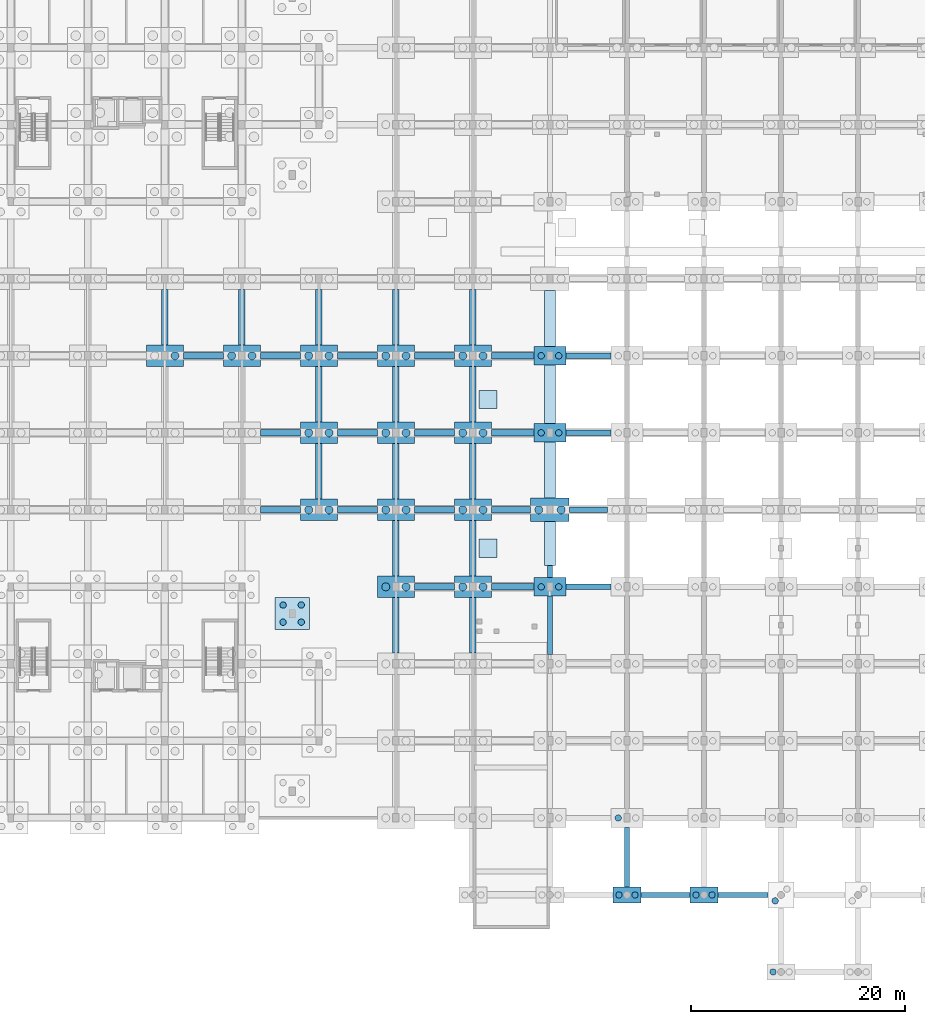
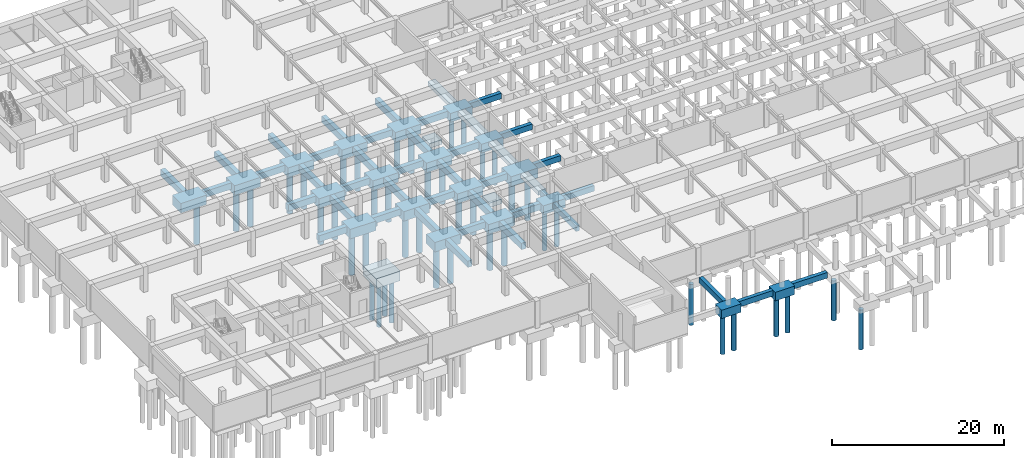
# One storey, part 3 of 36: 65 footings, 44 piles.
"""IFC4 building model written with IfcOpenShell, lengths in metres."""

from ifc_helpers import new_model, si_unit, direction, frame, origin, origin_2d, place, context, subcontext, project, spatial, rectangle, circle, extrude, material, material_profile, profile_set, type_object, element, save


model = new_model("IFC4")

# Units and contexts
model_context = context("Model", 3, precision=1e-05, world=origin(), true_north=direction((0.0, 1.0)))
body_context = subcontext(model_context, "Body", "Model", "MODEL_VIEW")
ifc_project = project(units=[si_unit("LENGTHUNIT", "METRE"), si_unit("AREAUNIT", "SQUARE_METRE"), si_unit("VOLUMEUNIT", "CUBIC_METRE"), si_unit("PLANEANGLEUNIT", "RADIAN"), si_unit("MASSUNIT", "GRAM", prefix="KILO")], contexts=[model_context])

# Site, building, storey
site_placement = place(None, origin())
site = spatial("IfcSite", under=ifc_project, at=site_placement, CompositionType="ELEMENT")
building_placement = place(site_placement, origin())
building = spatial("IfcBuilding", under=site, at=building_placement, Name="Ochrevale Crest", CompositionType="ELEMENT")
storey_placement = place(building_placement, frame((0.0, 0.0, -3.60009765625)))
storey = spatial("IfcBuildingStorey", under=building, at=storey_placement, Name="B1", CompositionType="ELEMENT", Elevation=-3.60009765625)

# Footings
ifc_material = material(Name="Concrete C40/50", Category="concrete")
footing_type_1 = type_object("IfcFootingType", Name="CAP-PC08", PredefinedType="PILE_CAP", material=ifc_material)
footing_1_placement = place(storey_placement, frame((33.5, 33.5, -1.60986328125), z_axis=(0.0, 0.0, 1.0), x_axis=(1.0, 0.0, 0.0)))
element("IfcFooting", 1, at=footing_1_placement, inside=storey, type_object=footing_type_1, Name="Pile cap PC08-062", PredefinedType="PILE_CAP", context=body_context, shape_type="SweptSolid", body=[
    extrude(rectangle(XDim=3.199951171875, YDim=3.0, at=origin_2d()), origin(), (0.0, 0.0, 1.0), 1.35009765625),
])
footing_type_2 = type_object("IfcFootingType", Name="CAP-PC11", PredefinedType="PILE_CAP", material=ifc_material)
footing_2_placement = place(storey_placement, frame((57.60009765625, 43.199951171875, -1.659912109375), z_axis=(0.0, 0.0, 1.0), x_axis=(1.0, 0.0, 0.0)))
element("IfcFooting", 2, at=footing_2_placement, inside=storey, type_object=footing_type_2, Name="Pile cap PC11-103", PredefinedType="PILE_CAP", context=body_context, shape_type="SweptSolid", body=[
    extrude(rectangle(XDim=3.60009765625, YDim=2.199951171875, at=origin_2d()), origin(), (0.0, 0.0, 1.0), 1.39990234375),
])
footing_type_3 = type_object("IfcFootingType", Name="CAP-PC12", PredefinedType="PILE_CAP", material=ifc_material)
for number, where, z_axis, x_axis, name in (
    (3, (21.60009765625, 57.60009765625, -1.60986328125), (0.0, 0.0, 1.0), (1.0, 0.0, 0.0), "Pile cap PC12-043"),
    (4, (28.800048828125, 57.60009765625, -1.60986328125), (0.0, 0.0, 1.0), (1.0, 0.0, 0.0), "Pile cap PC12-055"),
    (5, (36.0, 43.199951171875, -1.60986328125), (0.0, 0.0, 1.0), (1.0, 0.0, 0.0), "Pile cap PC12-067"),
    (6, (36.0, 50.39990234375, -1.60986328125), (0.0, 0.0, 1.0), (1.0, 0.0, 0.0), "Pile cap PC12-068"),
    (7, (36.0, 57.60009765625, -1.60986328125), (0.0, 0.0, 1.0), (1.0, 0.0, 0.0), "Pile cap PC12-069"),
    (8, (43.199951171875, 36.0, -1.60986328125), (0.0, 0.0, 1.0), (1.0, 0.0, 0.0), "Pile cap PC12-076"),
    (9, (43.199951171875, 43.199951171875, -1.60986328125), (0.0, 0.0, 1.0), (1.0, 0.0, 0.0), "Pile cap PC12-077"),
    (10, (43.199951171875, 50.39990234375, -1.60986328125), (0.0, 0.0, 1.0), (1.0, 0.0, 0.0), "Pile cap PC12-078"),
    (11, (43.199951171875, 57.60009765625, -1.60986328125), (0.0, 0.0, 1.0), (1.0, 0.0, 0.0), "Pile cap PC12-079"),
    (12, (50.39990234375, 36.0, -1.60986328125), (0.0, 0.0, 1.0), (1.0, 0.0, 0.0), "Pile cap PC12-089"),
    (13, (50.39990234375, 43.199951171875, -1.60986328125), (0.0, 0.0, 1.0), (1.0, 0.0, 0.0), "Pile cap PC12-090"),
    (14, (50.39990234375, 50.39990234375, -1.60986328125), (0.0, 0.0, 1.0), (1.0, 0.0, 0.0), "Pile cap PC12-091"),
    (15, (50.39990234375, 57.60009765625, -1.60986328125), (0.0, 0.0, 1.0), (1.0, 0.0, 0.0), "Pile cap PC12-092"),
):
    element("IfcFooting", number, at=place(storey_placement, frame(where, z_axis=z_axis, x_axis=x_axis)), inside=storey, type_object=footing_type_3, Name=name, PredefinedType="PILE_CAP", context=body_context, shape_type="SweptSolid", body=[
        extrude(rectangle(XDim=3.449951171875, YDim=2.0, at=origin_2d()), origin(), (0.0, 0.0, 1.0), 1.35009765625),
    ])
footing_type_4 = type_object("IfcFootingType", Name="CAP-PC14", PredefinedType="PILE_CAP", material=ifc_material)
for number, where, z_axis, x_axis, name in (
    (16, (57.60009765625, 36.0, -1.510009765625), (0.0, 0.0, 1.0), (1.0, 0.0, 0.0), "Pile cap PC14-102"),
    (17, (57.60009765625, 50.39990234375, -1.510009765625), (0.0, 0.0, 1.0), (1.0, 0.0, 0.0), "Pile cap PC14-104"),
    (18, (57.60009765625, 57.60009765625, -1.510009765625), (0.0, 0.0, 1.0), (1.0, 0.0, 0.0), "Pile cap PC14-105"),
):
    element("IfcFooting", number, at=place(storey_placement, frame(where, z_axis=z_axis, x_axis=x_axis)), inside=storey, type_object=footing_type_4, Name=name, PredefinedType="PILE_CAP", context=body_context, shape_type="SweptSolid", body=[
        extrude(rectangle(XDim=2.949951171875, YDim=1.75, at=origin_2d()), origin(), (0.0, 0.0, 1.0), 1.25),
    ])
footing_type_5 = type_object("IfcFootingType", Name="CAP-PC15", PredefinedType="PILE_CAP", material=ifc_material)
for number, where, z_axis, x_axis, name in (
    (19, (64.800048828125, 7.199951171875, -1.4599609375), (0.0, 0.0, 1.0), (1.0, 0.0, 0.0), "Pile cap PC15-114"),
    (20, (72.0, 7.199951171875, -1.4599609375), (0.0, 0.0, 1.0), (1.0, 0.0, 0.0), "Pile cap PC15-130"),
):
    element("IfcFooting", number, at=place(storey_placement, frame(where, z_axis=z_axis, x_axis=x_axis)), inside=storey, type_object=footing_type_5, Name=name, PredefinedType="PILE_CAP", context=body_context, shape_type="SweptSolid", body=[
        extrude(rectangle(XDim=2.60009765625, YDim=1.5, at=origin_2d()), origin(), (0.0, 0.0, 1.0), 1.199951171875),
    ])
ifc_material_profile_1 = material_profile(ifc_material, rectangle(XDim=0.5, YDim=0.800048828125, at=origin_2d()), Name="GB 500x800")
ifc_profile_set_1 = profile_set([ifc_material_profile_1], Name="Concrete C40/50")
footing_type_6 = type_object("IfcFootingType", Name="FTG-GB500x800", PredefinedType="FOOTING_BEAM", material=ifc_profile_set_1)
footing_3_placement = place(storey_placement, frame((57.60009765625, 29.677001953125, -0.659912109375), z_axis=(0.0, 1.0, 0.0), x_axis=(-1.0, 0.0, 0.0)))
element("IfcFooting", 21, at=footing_3_placement, inside=storey, type_object=footing_type_6, Name="Foundation tie beam GB2-170", PredefinedType="FOOTING_BEAM", context=body_context, shape_type="SweptSolid", body=[
    extrude(rectangle(XDim=0.5, YDim=0.800048828125, at=origin_2d()), origin(), (0.0, 0.0, 1.0), 5.446044921875),
])
footing_4_placement = place(storey_placement, frame((59.076904296875, 36.0, -0.659912109375), z_axis=(1.0, 0.0, 0.0), x_axis=(0.0, 1.0, 0.0)))
element("IfcFooting", 22, at=footing_4_placement, inside=storey, type_object=footing_type_6, Name="Foundation tie beam GB2-171", PredefinedType="FOOTING_BEAM", context=body_context, shape_type="SweptSolid", body=[
    extrude(rectangle(XDim=0.5, YDim=0.800048828125, at=origin_2d()), origin(), (0.0, 0.0, 1.0), 4.24609375),
])
footing_5_placement = place(storey_placement, frame((57.60009765625, 36.876953125, -0.659912109375), z_axis=(0.0, 1.0, 0.0), x_axis=(-1.0, 0.0, 0.0)))
element("IfcFooting", 23, at=footing_5_placement, inside=storey, type_object=footing_type_6, Name="Foundation tie beam GB2-172", PredefinedType="FOOTING_BEAM", context=body_context, shape_type="SweptSolid", body=[
    extrude(rectangle(XDim=0.5, YDim=0.800048828125, at=origin_2d()), origin(), (0.0, 0.0, 1.0), 1.12109375),
])
footing_6_placement = place(storey_placement, frame((59.402099609375, 43.199951171875, -0.659912109375), z_axis=(1.0, 0.0, 0.0), x_axis=(0.0, 1.0, 0.0)))
element("IfcFooting", 24, at=footing_6_placement, inside=storey, type_object=footing_type_6, Name="Foundation tie beam GB2-173", PredefinedType="FOOTING_BEAM", context=body_context, shape_type="SweptSolid", body=[
    extrude(rectangle(XDim=0.5, YDim=0.800048828125, at=origin_2d()), origin(), (0.0, 0.0, 1.0), 3.595947265625),
])
for number, where, z_axis, x_axis, name in (
    (25, (59.076904296875, 50.39990234375, -0.659912109375), (1.0, 0.0, 0.0), (0.0, 1.0, 0.0), "Foundation tie beam GB2-175"),
    (26, (59.076904296875, 57.60009765625, -0.659912109375), (1.0, 0.0, 0.0), (0.0, 1.0, 0.0), "Foundation tie beam GB2-177"),
):
    element("IfcFooting", number, at=place(storey_placement, frame(where, z_axis=z_axis, x_axis=x_axis)), inside=storey, type_object=footing_type_6, Name=name, PredefinedType="FOOTING_BEAM", context=body_context, shape_type="SweptSolid", body=[
        extrude(rectangle(XDim=0.5, YDim=0.800048828125, at=origin_2d()), origin(), (0.0, 0.0, 1.0), 4.24609375),
    ])
footing_7_placement = place(storey_placement, frame((66.10205078125, 7.199951171875, -0.659912109375), z_axis=(1.0, 0.0, 0.0), x_axis=(0.0, 1.0, 0.0)))
element("IfcFooting", 27, at=footing_7_placement, inside=storey, type_object=footing_type_6, Name="Foundation tie beam GB2-194", PredefinedType="FOOTING_BEAM", context=body_context, shape_type="SweptSolid", body=[
    extrude(rectangle(XDim=0.5, YDim=0.800048828125, at=origin_2d()), origin(), (0.0, 0.0, 1.0), 4.595947265625),
])
footing_8_placement = place(storey_placement, frame((64.800048828125, 7.951904296875, -0.659912109375), z_axis=(0.0, 1.0, 0.0), x_axis=(-1.0, 0.0, 0.0)))
element("IfcFooting", 28, at=footing_8_placement, inside=storey, type_object=footing_type_6, Name="Foundation tie beam GB2-195", PredefinedType="FOOTING_BEAM", context=body_context, shape_type="SweptSolid", body=[
    extrude(rectangle(XDim=0.5, YDim=0.800048828125, at=origin_2d()), origin(), (0.0, 0.0, 1.0), 5.571044921875),
])
footing_9_placement = place(storey_placement, frame((73.302001953125, 7.199951171875, -0.659912109375), z_axis=(1.0, 0.0, 0.0), x_axis=(0.0, 1.0, 0.0)))
element("IfcFooting", 29, at=footing_9_placement, inside=storey, type_object=footing_type_6, Name="Foundation tie beam GB2-225", PredefinedType="FOOTING_BEAM", context=body_context, shape_type="SweptSolid", body=[
    extrude(rectangle(XDim=0.5, YDim=0.800048828125, at=origin_2d()), origin(), (0.0, 0.0, 1.0), 4.696044921875),
])
ifc_material_profile_2 = material_profile(ifc_material, rectangle(XDim=0.60009765625, YDim=0.89990234375, at=origin_2d()), Name="GB 600x900")
ifc_profile_set_2 = profile_set([ifc_material_profile_2], Name="Concrete C40/50")
footing_type_7 = type_object("IfcFootingType", Name="FTG-GB600x900", PredefinedType="FOOTING_BEAM", material=ifc_profile_set_2)
footing_10_placement = place(storey_placement, frame((23.326904296875, 57.60009765625, -0.7099609375), z_axis=(1.0, 0.0, 0.0), x_axis=(0.0, 1.0, 0.0)))
element("IfcFooting", 30, at=footing_10_placement, inside=storey, type_object=footing_type_7, Name="Foundation tie beam GB1-072", PredefinedType="FOOTING_BEAM", context=body_context, shape_type="SweptSolid", body=[
    extrude(rectangle(XDim=0.60009765625, YDim=0.89990234375, at=origin_2d()), origin(), (0.0, 0.0, 1.0), 3.74609375),
])
footing_11_placement = place(storey_placement, frame((21.60009765625, 58.60205078125, -0.7099609375), z_axis=(0.0, 1.0, 0.0), x_axis=(-1.0, 0.0, 0.0)))
element("IfcFooting", 31, at=footing_11_placement, inside=storey, type_object=footing_type_7, Name="Foundation tie beam GB1-073", PredefinedType="FOOTING_BEAM", context=body_context, shape_type="SweptSolid", body=[
    extrude(rectangle(XDim=0.60009765625, YDim=0.89990234375, at=origin_2d()), origin(), (0.0, 0.0, 1.0), 5.196044921875),
])
for number, where, z_axis, x_axis, name in (
    (32, (30.527099609375, 43.199951171875, -0.7099609375), (1.0, 0.0, 0.0), (0.0, 1.0, 0.0), "Foundation tie beam GB1-089"),
    (33, (30.527099609375, 50.39990234375, -0.7099609375), (1.0, 0.0, 0.0), (0.0, 1.0, 0.0), "Foundation tie beam GB1-091"),
    (34, (30.527099609375, 57.60009765625, -0.7099609375), (1.0, 0.0, 0.0), (0.0, 1.0, 0.0), "Foundation tie beam GB1-093"),
):
    element("IfcFooting", number, at=place(storey_placement, frame(where, z_axis=z_axis, x_axis=x_axis)), inside=storey, type_object=footing_type_7, Name=name, PredefinedType="FOOTING_BEAM", context=body_context, shape_type="SweptSolid", body=[
        extrude(rectangle(XDim=0.60009765625, YDim=0.89990234375, at=origin_2d()), origin(), (0.0, 0.0, 1.0), 3.745849609375),
    ])
footing_12_placement = place(storey_placement, frame((28.800048828125, 58.60205078125, -0.7099609375), z_axis=(0.0, 1.0, 0.0), x_axis=(-1.0, 0.0, 0.0)))
element("IfcFooting", 35, at=footing_12_placement, inside=storey, type_object=footing_type_7, Name="Foundation tie beam GB1-094", PredefinedType="FOOTING_BEAM", context=body_context, shape_type="SweptSolid", body=[
    extrude(rectangle(XDim=0.60009765625, YDim=0.89990234375, at=origin_2d()), origin(), (0.0, 0.0, 1.0), 5.196044921875),
])
footing_13_placement = place(storey_placement, frame((37.72705078125, 43.199951171875, -0.7099609375), z_axis=(1.0, 0.0, 0.0), x_axis=(0.0, 1.0, 0.0)))
element("IfcFooting", 36, at=footing_13_placement, inside=storey, type_object=footing_type_7, Name="Foundation tie beam GB1-105", PredefinedType="FOOTING_BEAM", context=body_context, shape_type="SweptSolid", body=[
    extrude(rectangle(XDim=0.60009765625, YDim=0.89990234375, at=origin_2d()), origin(), (0.0, 0.0, 1.0), 3.745849609375),
])
footing_14_placement = place(storey_placement, frame((36.0, 44.201904296875, -0.7099609375), z_axis=(0.0, 1.0, 0.0), x_axis=(-1.0, 0.0, 0.0)))
element("IfcFooting", 37, at=footing_14_placement, inside=storey, type_object=footing_type_7, Name="Foundation tie beam GB1-106", PredefinedType="FOOTING_BEAM", context=body_context, shape_type="SweptSolid", body=[
    extrude(rectangle(XDim=0.60009765625, YDim=0.89990234375, at=origin_2d()), origin(), (0.0, 0.0, 1.0), 5.196044921875),
])
footing_15_placement = place(storey_placement, frame((37.72705078125, 50.39990234375, -0.7099609375), z_axis=(1.0, 0.0, 0.0), x_axis=(0.0, 1.0, 0.0)))
element("IfcFooting", 38, at=footing_15_placement, inside=storey, type_object=footing_type_7, Name="Foundation tie beam GB1-107", PredefinedType="FOOTING_BEAM", context=body_context, shape_type="SweptSolid", body=[
    extrude(rectangle(XDim=0.60009765625, YDim=0.89990234375, at=origin_2d()), origin(), (0.0, 0.0, 1.0), 3.745849609375),
])
footing_16_placement = place(storey_placement, frame((36.0, 51.402099609375, -0.7099609375), z_axis=(0.0, 1.0, 0.0), x_axis=(-1.0, 0.0, 0.0)))
element("IfcFooting", 39, at=footing_16_placement, inside=storey, type_object=footing_type_7, Name="Foundation tie beam GB1-108", PredefinedType="FOOTING_BEAM", context=body_context, shape_type="SweptSolid", body=[
    extrude(rectangle(XDim=0.60009765625, YDim=0.89990234375, at=origin_2d()), origin(), (0.0, 0.0, 1.0), 5.19580078125),
])
footing_17_placement = place(storey_placement, frame((37.72705078125, 57.60009765625, -0.7099609375), z_axis=(1.0, 0.0, 0.0), x_axis=(0.0, 1.0, 0.0)))
element("IfcFooting", 40, at=footing_17_placement, inside=storey, type_object=footing_type_7, Name="Foundation tie beam GB1-109", PredefinedType="FOOTING_BEAM", context=body_context, shape_type="SweptSolid", body=[
    extrude(rectangle(XDim=0.60009765625, YDim=0.89990234375, at=origin_2d()), origin(), (0.0, 0.0, 1.0), 3.745849609375),
])
for number, where, z_axis, x_axis, name in (
    (41, (36.0, 58.60205078125, -0.7099609375), (0.0, 1.0, 0.0), (-1.0, 0.0, 0.0), "Foundation tie beam GB1-110"),
    (42, (43.199951171875, 29.802001953125, -0.7099609375), (0.0, 1.0, 0.0), (-1.0, 0.0, 0.0), "Foundation tie beam GB1-120"),
):
    element("IfcFooting", number, at=place(storey_placement, frame(where, z_axis=z_axis, x_axis=x_axis)), inside=storey, type_object=footing_type_7, Name=name, PredefinedType="FOOTING_BEAM", context=body_context, shape_type="SweptSolid", body=[
        extrude(rectangle(XDim=0.60009765625, YDim=0.89990234375, at=origin_2d()), origin(), (0.0, 0.0, 1.0), 5.196044921875),
    ])
footing_18_placement = place(storey_placement, frame((44.927001953125, 36.0, -0.7099609375), z_axis=(1.0, 0.0, 0.0), x_axis=(0.0, 1.0, 0.0)))
element("IfcFooting", 43, at=footing_18_placement, inside=storey, type_object=footing_type_7, Name="Foundation tie beam GB1-121", PredefinedType="FOOTING_BEAM", context=body_context, shape_type="SweptSolid", body=[
    extrude(rectangle(XDim=0.60009765625, YDim=0.89990234375, at=origin_2d()), origin(), (0.0, 0.0, 1.0), 3.74609375),
])
footing_19_placement = place(storey_placement, frame((43.199951171875, 37.001953125, -0.7099609375), z_axis=(0.0, 1.0, 0.0), x_axis=(-1.0, 0.0, 0.0)))
element("IfcFooting", 44, at=footing_19_placement, inside=storey, type_object=footing_type_7, Name="Foundation tie beam GB1-122", PredefinedType="FOOTING_BEAM", context=body_context, shape_type="SweptSolid", body=[
    extrude(rectangle(XDim=0.60009765625, YDim=0.89990234375, at=origin_2d()), origin(), (0.0, 0.0, 1.0), 5.196044921875),
])
footing_20_placement = place(storey_placement, frame((44.927001953125, 43.199951171875, -0.7099609375), z_axis=(1.0, 0.0, 0.0), x_axis=(0.0, 1.0, 0.0)))
element("IfcFooting", 45, at=footing_20_placement, inside=storey, type_object=footing_type_7, Name="Foundation tie beam GB1-123", PredefinedType="FOOTING_BEAM", context=body_context, shape_type="SweptSolid", body=[
    extrude(rectangle(XDim=0.60009765625, YDim=0.89990234375, at=origin_2d()), origin(), (0.0, 0.0, 1.0), 3.74609375),
])
footing_21_placement = place(storey_placement, frame((43.199951171875, 44.201904296875, -0.7099609375), z_axis=(0.0, 1.0, 0.0), x_axis=(-1.0, 0.0, 0.0)))
element("IfcFooting", 46, at=footing_21_placement, inside=storey, type_object=footing_type_7, Name="Foundation tie beam GB1-124", PredefinedType="FOOTING_BEAM", context=body_context, shape_type="SweptSolid", body=[
    extrude(rectangle(XDim=0.60009765625, YDim=0.89990234375, at=origin_2d()), origin(), (0.0, 0.0, 1.0), 5.196044921875),
])
footing_22_placement = place(storey_placement, frame((44.927001953125, 50.39990234375, -0.7099609375), z_axis=(1.0, 0.0, 0.0), x_axis=(0.0, 1.0, 0.0)))
element("IfcFooting", 47, at=footing_22_placement, inside=storey, type_object=footing_type_7, Name="Foundation tie beam GB1-125", PredefinedType="FOOTING_BEAM", context=body_context, shape_type="SweptSolid", body=[
    extrude(rectangle(XDim=0.60009765625, YDim=0.89990234375, at=origin_2d()), origin(), (0.0, 0.0, 1.0), 3.74609375),
])
footing_23_placement = place(storey_placement, frame((43.199951171875, 51.402099609375, -0.7099609375), z_axis=(0.0, 1.0, 0.0), x_axis=(-1.0, 0.0, 0.0)))
element("IfcFooting", 48, at=footing_23_placement, inside=storey, type_object=footing_type_7, Name="Foundation tie beam GB1-126", PredefinedType="FOOTING_BEAM", context=body_context, shape_type="SweptSolid", body=[
    extrude(rectangle(XDim=0.60009765625, YDim=0.89990234375, at=origin_2d()), origin(), (0.0, 0.0, 1.0), 5.19580078125),
])
footing_24_placement = place(storey_placement, frame((44.927001953125, 57.60009765625, -0.7099609375), z_axis=(1.0, 0.0, 0.0), x_axis=(0.0, 1.0, 0.0)))
element("IfcFooting", 49, at=footing_24_placement, inside=storey, type_object=footing_type_7, Name="Foundation tie beam GB1-127", PredefinedType="FOOTING_BEAM", context=body_context, shape_type="SweptSolid", body=[
    extrude(rectangle(XDim=0.60009765625, YDim=0.89990234375, at=origin_2d()), origin(), (0.0, 0.0, 1.0), 3.74609375),
])
for number, where, z_axis, x_axis, name in (
    (50, (43.199951171875, 58.60205078125, -0.7099609375), (0.0, 1.0, 0.0), (-1.0, 0.0, 0.0), "Foundation tie beam GB1-128"),
    (51, (50.39990234375, 29.802001953125, -0.7099609375), (0.0, 1.0, 0.0), (-1.0, 0.0, 0.0), "Foundation tie beam GB1-145"),
):
    element("IfcFooting", number, at=place(storey_placement, frame(where, z_axis=z_axis, x_axis=x_axis)), inside=storey, type_object=footing_type_7, Name=name, PredefinedType="FOOTING_BEAM", context=body_context, shape_type="SweptSolid", body=[
        extrude(rectangle(XDim=0.60009765625, YDim=0.89990234375, at=origin_2d()), origin(), (0.0, 0.0, 1.0), 5.196044921875),
    ])
footing_25_placement = place(storey_placement, frame((52.126953125, 36.0, -0.7099609375), z_axis=(1.0, 0.0, 0.0), x_axis=(0.0, 1.0, 0.0)))
element("IfcFooting", 52, at=footing_25_placement, inside=storey, type_object=footing_type_7, Name="Foundation tie beam GB1-146", PredefinedType="FOOTING_BEAM", context=body_context, shape_type="SweptSolid", body=[
    extrude(rectangle(XDim=0.60009765625, YDim=0.89990234375, at=origin_2d()), origin(), (0.0, 0.0, 1.0), 3.99609375),
])
footing_26_placement = place(storey_placement, frame((50.39990234375, 37.001953125, -0.7099609375), z_axis=(0.0, 1.0, 0.0), x_axis=(-1.0, 0.0, 0.0)))
element("IfcFooting", 53, at=footing_26_placement, inside=storey, type_object=footing_type_7, Name="Foundation tie beam GB1-147", PredefinedType="FOOTING_BEAM", context=body_context, shape_type="SweptSolid", body=[
    extrude(rectangle(XDim=0.60009765625, YDim=0.89990234375, at=origin_2d()), origin(), (0.0, 0.0, 1.0), 5.196044921875),
])
footing_27_placement = place(storey_placement, frame((52.126953125, 43.199951171875, -0.7099609375), z_axis=(1.0, 0.0, 0.0), x_axis=(0.0, 1.0, 0.0)))
element("IfcFooting", 54, at=footing_27_placement, inside=storey, type_object=footing_type_7, Name="Foundation tie beam GB1-148", PredefinedType="FOOTING_BEAM", context=body_context, shape_type="SweptSolid", body=[
    extrude(rectangle(XDim=0.60009765625, YDim=0.89990234375, at=origin_2d()), origin(), (0.0, 0.0, 1.0), 3.671142578125),
])
footing_28_placement = place(storey_placement, frame((50.39990234375, 44.201904296875, -0.7099609375), z_axis=(0.0, 1.0, 0.0), x_axis=(-1.0, 0.0, 0.0)))
element("IfcFooting", 55, at=footing_28_placement, inside=storey, type_object=footing_type_7, Name="Foundation tie beam GB1-149", PredefinedType="FOOTING_BEAM", context=body_context, shape_type="SweptSolid", body=[
    extrude(rectangle(XDim=0.60009765625, YDim=0.89990234375, at=origin_2d()), origin(), (0.0, 0.0, 1.0), 5.196044921875),
])
footing_29_placement = place(storey_placement, frame((52.126953125, 50.39990234375, -0.7099609375), z_axis=(1.0, 0.0, 0.0), x_axis=(0.0, 1.0, 0.0)))
element("IfcFooting", 56, at=footing_29_placement, inside=storey, type_object=footing_type_7, Name="Foundation tie beam GB1-150", PredefinedType="FOOTING_BEAM", context=body_context, shape_type="SweptSolid", body=[
    extrude(rectangle(XDim=0.60009765625, YDim=0.89990234375, at=origin_2d()), origin(), (0.0, 0.0, 1.0), 3.99609375),
])
footing_30_placement = place(storey_placement, frame((50.39990234375, 51.402099609375, -0.7099609375), z_axis=(0.0, 1.0, 0.0), x_axis=(-1.0, 0.0, 0.0)))
element("IfcFooting", 57, at=footing_30_placement, inside=storey, type_object=footing_type_7, Name="Foundation tie beam GB1-151", PredefinedType="FOOTING_BEAM", context=body_context, shape_type="SweptSolid", body=[
    extrude(rectangle(XDim=0.60009765625, YDim=0.89990234375, at=origin_2d()), origin(), (0.0, 0.0, 1.0), 5.19580078125),
])
footing_31_placement = place(storey_placement, frame((52.126953125, 57.60009765625, -0.7099609375), z_axis=(1.0, 0.0, 0.0), x_axis=(0.0, 1.0, 0.0)))
element("IfcFooting", 58, at=footing_31_placement, inside=storey, type_object=footing_type_7, Name="Foundation tie beam GB1-152", PredefinedType="FOOTING_BEAM", context=body_context, shape_type="SweptSolid", body=[
    extrude(rectangle(XDim=0.60009765625, YDim=0.89990234375, at=origin_2d()), origin(), (0.0, 0.0, 1.0), 3.99609375),
])
footing_32_placement = place(storey_placement, frame((50.39990234375, 58.60205078125, -0.7099609375), z_axis=(0.0, 1.0, 0.0), x_axis=(-1.0, 0.0, 0.0)))
element("IfcFooting", 59, at=footing_32_placement, inside=storey, type_object=footing_type_7, Name="Foundation tie beam GB1-153", PredefinedType="FOOTING_BEAM", context=body_context, shape_type="SweptSolid", body=[
    extrude(rectangle(XDim=0.60009765625, YDim=0.89990234375, at=origin_2d()), origin(), (0.0, 0.0, 1.0), 5.196044921875),
])
footing_type_8 = type_object("IfcFootingType", Name="FTG-PAD03", PredefinedType="PAD_FOOTING", material=ifc_material)
for number, where, z_axis, x_axis, name in (
    (60, (51.800048828125, 39.60009765625, -0.909912109375), (0.0, 0.0, 1.0), (1.0, 0.0, 0.0), "Pad footing PF03 (51.8,39.6)"),
    (61, (51.800048828125, 53.5, -0.909912109375), (0.0, 0.0, 1.0), (1.0, 0.0, 0.0), "Pad footing PF03 (51.8,53.5)"),
):
    element("IfcFooting", number, at=place(storey_placement, frame(where, z_axis=z_axis, x_axis=x_axis)), inside=storey, type_object=footing_type_8, Name=name, PredefinedType="PAD_FOOTING", context=body_context, shape_type="SweptSolid", body=[
        extrude(rectangle(XDim=1.699951171875, YDim=1.699951171875, at=origin_2d()), origin(), (0.0, 0.0, 1.0), 0.64990234375),
    ])
ifc_material_profile_3 = material_profile(ifc_material, rectangle(XDim=1.0, YDim=0.60009765625, at=origin_2d()), Name="SF 1000x600")
ifc_profile_set_3 = profile_set([ifc_material_profile_3], Name="Concrete C40/50")
footing_type_9 = type_object("IfcFootingType", Name="FTG-SF1000x600", PredefinedType="STRIP_FOOTING", material=ifc_profile_set_3)
footing_33_placement = place(storey_placement, frame((57.60009765625, 38.0, -0.559814453125), z_axis=(0.0, 1.0, 0.0), x_axis=(-1.0, 0.0, 0.0)))
element("IfcFooting", 62, at=footing_33_placement, inside=storey, type_object=footing_type_9, Name="B1 courtyard retaining wall W strip footing segment 1", PredefinedType="STRIP_FOOTING", context=body_context, shape_type="SweptSolid", body=[
    extrude(rectangle(XDim=1.0, YDim=0.60009765625, at=origin_2d()), origin(), (0.0, 0.0, 1.0), 4.097900390625),
])
footing_34_placement = place(storey_placement, frame((57.60009765625, 44.302001953125, -0.559814453125), z_axis=(0.0, 1.0, 0.0), x_axis=(-1.0, 0.0, 0.0)))
element("IfcFooting", 63, at=footing_34_placement, inside=storey, type_object=footing_type_9, Name="B1 courtyard retaining wall W strip footing segment 2", PredefinedType="STRIP_FOOTING", context=body_context, shape_type="SweptSolid", body=[
    extrude(rectangle(XDim=1.0, YDim=0.60009765625, at=origin_2d()), origin(), (0.0, 0.0, 1.0), 5.220947265625),
])
footing_35_placement = place(storey_placement, frame((57.60009765625, 51.277099609375, -0.559814453125), z_axis=(0.0, 1.0, 0.0), x_axis=(-1.0, 0.0, 0.0)))
element("IfcFooting", 64, at=footing_35_placement, inside=storey, type_object=footing_type_9, Name="B1 courtyard retaining wall W strip footing segment 3", PredefinedType="STRIP_FOOTING", context=body_context, shape_type="SweptSolid", body=[
    extrude(rectangle(XDim=1.0, YDim=0.60009765625, at=origin_2d()), origin(), (0.0, 0.0, 1.0), 5.44580078125),
])
footing_36_placement = place(storey_placement, frame((57.60009765625, 58.47705078125, -0.559814453125), z_axis=(0.0, 1.0, 0.0), x_axis=(-1.0, 0.0, 0.0)))
element("IfcFooting", 65, at=footing_36_placement, inside=storey, type_object=footing_type_9, Name="B1 courtyard retaining wall W strip footing segment 4", PredefinedType="STRIP_FOOTING", context=body_context, shape_type="SweptSolid", body=[
    extrude(rectangle(XDim=1.0, YDim=0.60009765625, at=origin_2d()), origin(), (0.0, 0.0, 1.0), 5.220947265625),
])

# Piles
ifc_material_profile_4 = material_profile(ifc_material, circle(Radius=0.300048828125, at=origin_2d()), Name="BORED PILE 600")
ifc_profile_set_4 = profile_set([ifc_material_profile_4], Name="Concrete C40/50")
pile_type_1 = type_object("IfcPileType", Name="PILE-BP600", PredefinedType="BORED", material=ifc_profile_set_4)
for number, where, z_axis, x_axis, name in (
    (66, (32.64990234375, 32.699951171875, -1.510009765625), (0.0, 0.0, -1.0), (1.0, 0.0, 0.0), "Bored pile P1-062-1"),
    (67, (34.35009765625, 32.699951171875, -1.510009765625), (0.0, 0.0, -1.0), (1.0, 0.0, 0.0), "Bored pile P1-062-2"),
    (68, (32.64990234375, 34.300048828125, -1.510009765625), (0.0, 0.0, -1.0), (1.0, 0.0, 0.0), "Bored pile P1-062-3"),
    (69, (34.35009765625, 34.300048828125, -1.510009765625), (0.0, 0.0, -1.0), (1.0, 0.0, 0.0), "Bored pile P1-062-4"),
):
    element("IfcPile", number, at=place(storey_placement, frame(where, z_axis=z_axis, x_axis=x_axis)), inside=storey, type_object=pile_type_1, Name=name, PredefinedType="BORED", context=body_context, shape_type="SweptSolid", body=[
        extrude(circle(Radius=0.300048828125, at=origin_2d()), origin(), (0.0, 0.0, 1.0), 6.090087890625),
    ])
for number, where, z_axis, x_axis, name in (
    (70, (56.780029296875, 36.0, -1.409912109375), (0.0, 0.0, -1.0), (1.0, 0.0, 0.0), "Bored pile P1-102-1"),
    (71, (58.419921875, 36.0, -1.409912109375), (0.0, 0.0, -1.0), (1.0, 0.0, 0.0), "Bored pile P1-102-2"),
    (72, (56.780029296875, 50.39990234375, -1.409912109375), (0.0, 0.0, -1.0), (1.0, 0.0, 0.0), "Bored pile P1-104-1"),
    (73, (58.419921875, 50.39990234375, -1.409912109375), (0.0, 0.0, -1.0), (1.0, 0.0, 0.0), "Bored pile P1-104-2"),
    (74, (56.780029296875, 57.60009765625, -1.409912109375), (0.0, 0.0, -1.0), (1.0, 0.0, 0.0), "Bored pile P1-105-1"),
    (75, (58.419921875, 57.60009765625, -1.409912109375), (0.0, 0.0, -1.0), (1.0, 0.0, 0.0), "Bored pile P1-105-2"),
):
    element("IfcPile", number, at=place(storey_placement, frame(where, z_axis=z_axis, x_axis=x_axis)), inside=storey, type_object=pile_type_1, Name=name, PredefinedType="BORED", context=body_context, shape_type="SweptSolid", body=[
        extrude(circle(Radius=0.300048828125, at=origin_2d()), origin(), (0.0, 0.0, 1.0), 5.7900390625),
    ])
for number, where, z_axis, x_axis, name in (
    (76, (64.050048828125, 7.199951171875, -1.35986328125), (0.0, 0.0, -1.0), (1.0, 0.0, 0.0), "Bored pile P1-114-1"),
    (77, (65.550048828125, 7.199951171875, -1.35986328125), (0.0, 0.0, -1.0), (1.0, 0.0, 0.0), "Bored pile P1-114-2"),
):
    element("IfcPile", number, at=place(storey_placement, frame(where, z_axis=z_axis, x_axis=x_axis)), inside=storey, type_object=pile_type_1, Name=name, PredefinedType="BORED", context=body_context, shape_type="SweptSolid", body=[
        extrude(circle(Radius=0.300048828125, at=origin_2d()), origin(), (0.0, 0.0, 1.0), 5.639892578125),
    ])
pile_1_placement = place(storey_placement, frame((63.97998046875, 14.39990234375, -1.409912109375), z_axis=(0.0, 0.0, -1.0), x_axis=(1.0, 0.0, 0.0)))
element("IfcPile", 78, at=pile_1_placement, inside=storey, type_object=pile_type_1, Name="Bored pile P1-115-1", PredefinedType="BORED", context=body_context, shape_type="SweptSolid", body=[
    extrude(circle(Radius=0.300048828125, at=origin_2d()), origin(), (0.0, 0.0, 1.0), 5.7900390625),
])
for number, where, z_axis, x_axis, name in (
    (79, (71.25, 7.199951171875, -1.35986328125), (0.0, 0.0, -1.0), (1.0, 0.0, 0.0), "Bored pile P1-130-1"),
    (80, (72.75, 7.199951171875, -1.35986328125), (0.0, 0.0, -1.0), (1.0, 0.0, 0.0), "Bored pile P1-130-2"),
    (81, (78.449951171875, 0.0, -1.35986328125), (0.0, 0.0, -1.0), (1.0, 0.0, 0.0), "Bored pile P1-146-1"),
):
    element("IfcPile", number, at=place(storey_placement, frame(where, z_axis=z_axis, x_axis=x_axis)), inside=storey, type_object=pile_type_1, Name=name, PredefinedType="BORED", context=body_context, shape_type="SweptSolid", body=[
        extrude(circle(Radius=0.300048828125, at=origin_2d()), origin(), (0.0, 0.0, 1.0), 5.639892578125),
    ])
pile_2_placement = place(storey_placement, frame((78.64990234375, 6.64990234375, -1.309814453125), z_axis=(0.0, 0.0, -1.0), x_axis=(1.0, 0.0, 0.0)))
element("IfcPile", 82, at=pile_2_placement, inside=storey, type_object=pile_type_1, Name="Bored pile P1-147-1", PredefinedType="BORED", context=body_context, shape_type="SweptSolid", body=[
    extrude(circle(Radius=0.300048828125, at=origin_2d()), origin(), (0.0, 0.0, 1.0), 5.68994140625),
])
ifc_material_profile_5 = material_profile(ifc_material, circle(Radius=0.375, at=origin_2d()), Name="BORED PILE 750")
ifc_profile_set_5 = profile_set([ifc_material_profile_5], Name="Concrete C40/50")
pile_type_2 = type_object("IfcPileType", Name="PILE-BP750", PredefinedType="BORED", material=ifc_profile_set_5)
for number, where, z_axis, x_axis, name in (
    (83, (22.550048828125, 57.60009765625, -1.510009765625), (0.0, 0.0, -1.0), (1.0, 0.0, 0.0), "Bored pile P2-043-2"),
    (84, (27.85009765625, 57.60009765625, -1.510009765625), (0.0, 0.0, -1.0), (1.0, 0.0, 0.0), "Bored pile P2-055-1"),
    (85, (29.75, 57.60009765625, -1.510009765625), (0.0, 0.0, -1.0), (1.0, 0.0, 0.0), "Bored pile P2-055-2"),
    (86, (35.050048828125, 43.199951171875, -1.510009765625), (0.0, 0.0, -1.0), (1.0, 0.0, 0.0), "Bored pile P2-067-1"),
    (87, (36.949951171875, 43.199951171875, -1.510009765625), (0.0, 0.0, -1.0), (1.0, 0.0, 0.0), "Bored pile P2-067-2"),
    (88, (35.050048828125, 50.39990234375, -1.510009765625), (0.0, 0.0, -1.0), (1.0, 0.0, 0.0), "Bored pile P2-068-1"),
    (89, (36.949951171875, 50.39990234375, -1.510009765625), (0.0, 0.0, -1.0), (1.0, 0.0, 0.0), "Bored pile P2-068-2"),
    (90, (35.050048828125, 57.60009765625, -1.510009765625), (0.0, 0.0, -1.0), (1.0, 0.0, 0.0), "Bored pile P2-069-1"),
    (91, (36.949951171875, 57.60009765625, -1.510009765625), (0.0, 0.0, -1.0), (1.0, 0.0, 0.0), "Bored pile P2-069-2"),
    (92, (42.25, 36.0, -1.510009765625), (0.0, 0.0, -1.0), (1.0, 0.0, 0.0), "Bored pile P2-076-1"),
    (93, (44.14990234375, 36.0, -1.510009765625), (0.0, 0.0, -1.0), (1.0, 0.0, 0.0), "Bored pile P2-076-2"),
    (94, (42.25, 43.199951171875, -1.510009765625), (0.0, 0.0, -1.0), (1.0, 0.0, 0.0), "Bored pile P2-077-1"),
    (95, (44.14990234375, 43.199951171875, -1.510009765625), (0.0, 0.0, -1.0), (1.0, 0.0, 0.0), "Bored pile P2-077-2"),
    (96, (42.25, 50.39990234375, -1.510009765625), (0.0, 0.0, -1.0), (1.0, 0.0, 0.0), "Bored pile P2-078-1"),
    (97, (44.14990234375, 50.39990234375, -1.510009765625), (0.0, 0.0, -1.0), (1.0, 0.0, 0.0), "Bored pile P2-078-2"),
    (98, (42.25, 57.60009765625, -1.510009765625), (0.0, 0.0, -1.0), (1.0, 0.0, 0.0), "Bored pile P2-079-1"),
    (99, (44.14990234375, 57.60009765625, -1.510009765625), (0.0, 0.0, -1.0), (1.0, 0.0, 0.0), "Bored pile P2-079-2"),
    (100, (49.449951171875, 36.0, -1.510009765625), (0.0, 0.0, -1.0), (1.0, 0.0, 0.0), "Bored pile P2-089-1"),
    (101, (51.35009765625, 36.0, -1.510009765625), (0.0, 0.0, -1.0), (1.0, 0.0, 0.0), "Bored pile P2-089-2"),
    (102, (49.449951171875, 43.199951171875, -1.510009765625), (0.0, 0.0, -1.0), (1.0, 0.0, 0.0), "Bored pile P2-090-1"),
    (103, (51.35009765625, 43.199951171875, -1.510009765625), (0.0, 0.0, -1.0), (1.0, 0.0, 0.0), "Bored pile P2-090-2"),
    (104, (49.449951171875, 50.39990234375, -1.510009765625), (0.0, 0.0, -1.0), (1.0, 0.0, 0.0), "Bored pile P2-091-1"),
    (105, (51.35009765625, 50.39990234375, -1.510009765625), (0.0, 0.0, -1.0), (1.0, 0.0, 0.0), "Bored pile P2-091-2"),
    (106, (49.449951171875, 57.60009765625, -1.510009765625), (0.0, 0.0, -1.0), (1.0, 0.0, 0.0), "Bored pile P2-092-1"),
    (107, (51.35009765625, 57.60009765625, -1.510009765625), (0.0, 0.0, -1.0), (1.0, 0.0, 0.0), "Bored pile P2-092-2"),
):
    element("IfcPile", number, at=place(storey_placement, frame(where, z_axis=z_axis, x_axis=x_axis)), inside=storey, type_object=pile_type_2, Name=name, PredefinedType="BORED", context=body_context, shape_type="SweptSolid", body=[
        extrude(circle(Radius=0.375, at=origin_2d()), origin(), (0.0, 0.0, 1.0), 5.889892578125),
    ])
for number, where, z_axis, x_axis, name in (
    (108, (56.550048828125, 43.199951171875, -1.559814453125), (0.0, 0.0, -1.0), (1.0, 0.0, 0.0), "Bored pile P2-103-1"),
    (109, (58.64990234375, 43.199951171875, -1.559814453125), (0.0, 0.0, -1.0), (1.0, 0.0, 0.0), "Bored pile P2-103-2"),
):
    element("IfcPile", number, at=place(storey_placement, frame(where, z_axis=z_axis, x_axis=x_axis)), inside=storey, type_object=pile_type_2, Name=name, PredefinedType="BORED", context=body_context, shape_type="SweptSolid", body=[
        extrude(circle(Radius=0.375, at=origin_2d()), origin(), (0.0, 0.0, 1.0), 6.340087890625),
    ])

save(model, "model.ifc")
